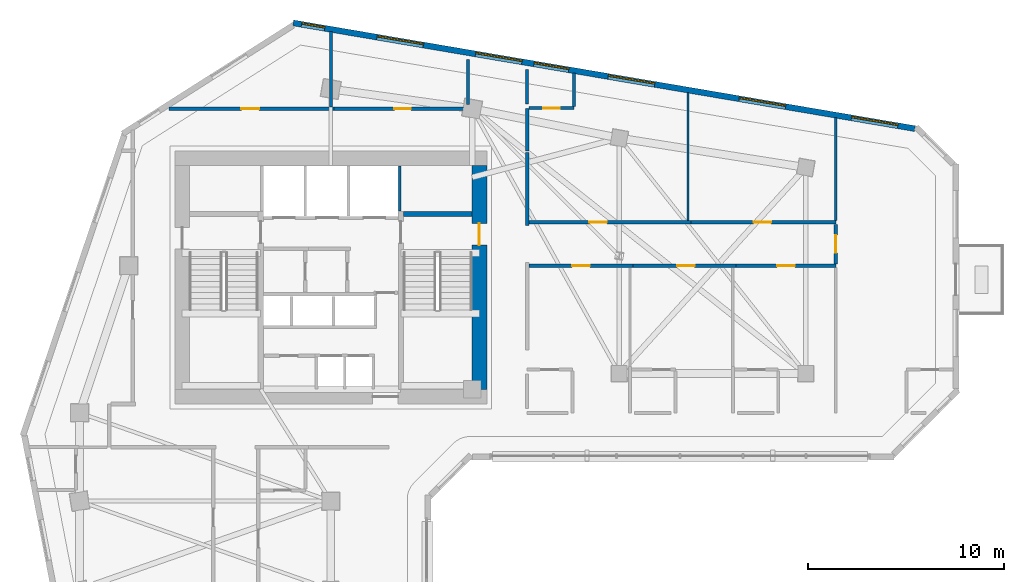
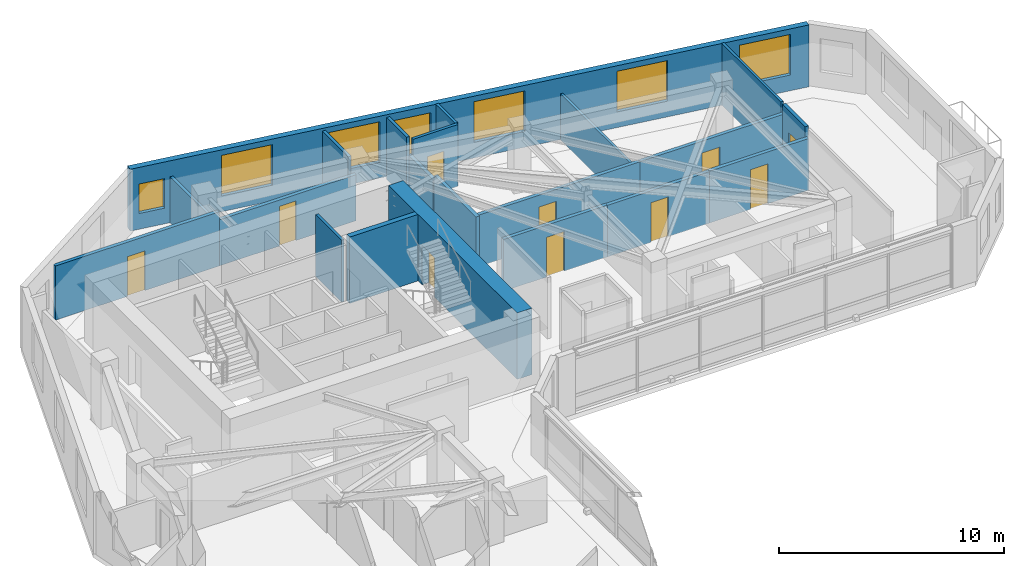
# One storey, part 8 of 14: 21 walls, 10 doors, 7 windows, 17 openings.
"""IFC4 building model written with IfcOpenShell, lengths in metres."""

from ifc_helpers import new_model, si_unit, direction, frame, frame_2d, origin, place, context, subcontext, project, spatial, rectangle, extrude, source, transform, mapped, material, layer, layer_set, type_object, element, fill, save


model = new_model("IFC4")

# Units and contexts
model_context = context("Model", 3, precision=1e-05, world=origin(), true_north=direction((0.0, 1.0)))
body_context = subcontext(model_context, "Body", "Model", "MODEL_VIEW")
ifc_project = project(units=[si_unit("LENGTHUNIT", "METRE"), si_unit("AREAUNIT", "SQUARE_METRE"), si_unit("VOLUMEUNIT", "CUBIC_METRE"), si_unit("PLANEANGLEUNIT", "RADIAN"), si_unit("MASSUNIT", "GRAM", prefix="KILO")], contexts=[model_context])

# Site, building, storey
site_placement = place(None, origin())
site = spatial("IfcSite", under=ifc_project, at=site_placement, CompositionType="ELEMENT")
building_placement = place(site_placement, origin())
building = spatial("IfcBuilding", under=site, at=building_placement, Name="Calvemar Wedge Station Tower", CompositionType="ELEMENT")
storey_placement = place(building_placement, frame((0.0, 0.0, 125.0)))
storey = spatial("IfcBuildingStorey", under=building, at=storey_placement, Name="L30", CompositionType="ELEMENT", Elevation=125.0)

# Wall
ifc_material_1 = material(Name="Concrete C50", Category="concrete")
ifc_layer_1 = layer(ifc_material_1, 0.260009765625)
ifc_layer_set_1 = layer_set([ifc_layer_1], Name="Concrete C50")
wall_type_1 = type_object("IfcWallType", Name="SW-CORE-260", PredefinedType="SHEAR", material=ifc_layer_set_1)
wall_1_placement = place(storey_placement, frame((27.5, 43.1298828125, 0.0), z_axis=(0.0, 0.0, 1.0), x_axis=(1.0, 0.0, 0.0)))
element("IfcWall", 1, at=wall_1_placement, inside=storey, type_object=wall_type_1, Name="Storey L30 Core Shear Wall STC2-N", PredefinedType="SHEAR", context=body_context, shape_type="SweptSolid", body=[
    extrude(rectangle(XDim=3.5, YDim=0.260009765625, at=frame_2d((1.75, 0.0))), origin(), (0.0, 0.0, 1.0), 3.60009765625),
])

# Wall, opening, door
ifc_material_2 = material(Name="Concrete C70", Category="concrete")
ifc_layer_2 = layer(ifc_material_2, 0.75)
ifc_layer_set_2 = layer_set([ifc_layer_2], Name="Concrete C70")
wall_type_2 = type_object("IfcWallType", Name="SW-CORE-750", PredefinedType="SHEAR", material=ifc_layer_set_2)
wall_2_placement = place(storey_placement, frame((31.375, 34.199951171875, 0.0), z_axis=(0.0, 0.0, 1.0), x_axis=(0.0, 1.0, 0.0)))
wall_2 = element("IfcWall", 2, at=wall_2_placement, inside=storey, type_object=wall_type_2, Name="Storey L30 Core Shear Wall E", PredefinedType="SHEAR", context=body_context, shape_type="SweptSolid", body=[
    extrude(rectangle(XDim=11.400146484375, YDim=0.75, at=frame_2d((5.7001953125, 0.0))), origin(), (0.0, 0.0, 1.0), 3.60009765625),
])
shared_shape_1 = source(origin(), body_context, "Body", "SweptSolid", [
    extrude(rectangle(XDim=1.10009765625, YDim=2.14990234375, at=frame_2d((0.550048828125, 1.074951171875))), frame((0.0, 0.385009765625, 0.0), z_axis=(0.0, -1.0, 0.0), x_axis=(1.0, 0.0, 0.0)), (0.0, 0.0, 1.0), 0.77001953125),
])
opening_1_placement = place(wall_2_placement, frame((7.35009765625, 0.0, 0.0)))
opening_1 = element("IfcOpeningElement", 3, at=opening_1_placement, cuts=wall_2, Name="Opening FD-90", PredefinedType="OPENING", context=body_context, shape_type="MappedRepresentation", body=[
    mapped(shared_shape_1, transform((0.0, 0.0, 0.0), scale=1.0)),
])
ifc_material_3 = material(Name="Galvanized fire-rated steel door leaf P-90", Category="steel")
door_type_1 = type_object("IfcDoorType", Name="DR-FD90-1100", OperationType="NOTDEFINED", PredefinedType="DOOR", material=ifc_material_3)
shared_shape_2 = source(origin(), body_context, "Body", "SweptSolid", [
    extrude(rectangle(XDim=1.10009765625, YDim=2.14990234375, at=frame_2d((0.550048828125, 1.074951171875))), frame((0.0, 0.02490234375, 0.0), z_axis=(0.0, -1.0, 0.0), x_axis=(1.0, 0.0, 0.0)), (0.0, 0.0, 1.0), 0.050048828125),
])
door_1_placement = place(opening_1_placement, origin())
door_1 = element("IfcDoor", 4, at=door_1_placement, inside=storey, type_object=door_type_1, Name="L30 East Corridor to Exit Stair ST-C2 Door", OperationType="SINGLE_SWING_LEFT", OverallHeight=2.14990234375, OverallWidth=1.10009765625, PredefinedType="DOOR", context=body_context, shape_type="MappedRepresentation", body=[
    mapped(shared_shape_2, transform((0.0, 0.0, 0.0), scale=1.0)),
])
fill(opening_1, door_1)

ifc_material_4 = material(Name="Double-stud fire-rated corridor partition")
ifc_layer_3 = layer(ifc_material_4, 0.179931640625)
ifc_layer_set_3 = layer_set([ifc_layer_3], Name="Double-stud fire-rated corridor partition")
wall_type_3 = type_object("IfcWallType", Name="W-CORR-180", PredefinedType="PARTITIONING", material=ifc_layer_set_3)
wall_3_placement = place(storey_placement, frame((15.552490234375, 48.5, 0.0), z_axis=(0.0, 0.0, 1.0), x_axis=(1.0, 0.0, 0.0)))
wall_3 = element("IfcWall", 5, at=wall_3_placement, inside=storey, type_object=wall_type_3, Name="Storey L30 Interior Partition WL-L30-014", PredefinedType="PARTITIONING", context=body_context, shape_type="SweptSolid", body=[
    extrude(rectangle(XDim=8.407470703125, YDim=0.179931640625, at=frame_2d((4.20361328125, 0.0))), origin(), (0.0, 0.0, 1.0), 2.93505859375),
])
shared_shape_3 = source(origin(), body_context, "Body", "SweptSolid", [
    extrude(rectangle(XDim=0.89990234375, YDim=2.14990234375, at=frame_2d((0.449951171875, 1.074951171875))), frame((0.0, 0.10009765625, 0.0), z_axis=(0.0, -1.0, 0.0), x_axis=(1.0, 0.0, 0.0)), (0.0, 0.0, 1.0), 0.199951171875),
])
opening_2_placement = place(wall_3_placement, frame((3.69287109375, 0.0, 0.0)))
opening_2 = element("IfcOpeningElement", 6, at=opening_2_placement, cuts=wall_3, Name="Opening D-01", PredefinedType="OPENING", context=body_context, shape_type="MappedRepresentation", body=[
    mapped(shared_shape_3, transform((0.0, 0.0, 0.0), scale=1.0)),
])
ifc_material_5 = material(Name="Architectural hardwood acoustic swing door", Category="wood")
door_type_2 = type_object("IfcDoorType", Name="DR-INT-900", OperationType="NOTDEFINED", PredefinedType="DOOR", material=ifc_material_5)
shared_shape_4 = source(origin(), body_context, "Body", "SweptSolid", [
    extrude(rectangle(XDim=0.89990234375, YDim=2.14990234375, at=frame_2d((0.449951171875, 1.074951171875))), frame((0.0, 0.02490234375, 0.0), z_axis=(0.0, -1.0, 0.0), x_axis=(1.0, 0.0, 0.0)), (0.0, 0.0, 1.0), 0.050048828125),
])
door_2_placement = place(opening_2_placement, origin())
door_2 = element("IfcDoor", 7, at=door_2_placement, inside=storey, type_object=door_type_2, Name="L30 Business Centre Door", OperationType="SINGLE_SWING_LEFT", OverallHeight=2.14990234375, OverallWidth=0.89990234375, PredefinedType="DOOR", context=body_context, shape_type="MappedRepresentation", body=[
    mapped(shared_shape_4, transform((0.0, 0.0, 0.0), scale=1.0)),
])
fill(opening_2, door_2)

wall_4_placement = place(storey_placement, frame((23.9619140625, 48.5, 0.0), z_axis=(0.0, 0.0, 1.0), x_axis=(1.0, 0.0, 0.0)))
wall_4 = element("IfcWall", 8, at=wall_4_placement, inside=storey, type_object=wall_type_3, Name="Storey L30 Interior Partition WL-L30-015", PredefinedType="PARTITIONING", context=body_context, shape_type="SweptSolid", body=[
    extrude(rectangle(XDim=6.998046875, YDim=0.179931640625, at=frame_2d((3.4990234375, 0.0))), origin(), (0.0, 0.0, 1.0), 2.491943359375),
])
shared_shape_5 = source(origin(), body_context, "Body", "SweptSolid", [
    extrude(rectangle(XDim=0.85009765625, YDim=2.14990234375, at=frame_2d((0.425048828125, 1.074951171875))), frame((0.0, 0.10009765625, 0.0), z_axis=(0.0, -1.0, 0.0), x_axis=(1.0, 0.0, 0.0)), (0.0, 0.0, 1.0), 0.199951171875),
])
opening_3_placement = place(wall_4_placement, frame((3.073974609375, 0.0, 0.0)))
opening_3 = element("IfcOpeningElement", 9, at=opening_3_placement, cuts=wall_4, Name="Opening D-02", PredefinedType="OPENING", context=body_context, shape_type="MappedRepresentation", body=[
    mapped(shared_shape_5, transform((0.0, 0.0, 0.0), scale=1.0)),
])
ifc_material_6 = material(Name="Moisture-sealed bathroom hardwood swing door", Category="wood")
door_type_3 = type_object("IfcDoorType", Name="DR-WET-850", OperationType="NOTDEFINED", PredefinedType="DOOR", material=ifc_material_6)
shared_shape_6 = source(origin(), body_context, "Body", "SweptSolid", [
    extrude(rectangle(XDim=0.85009765625, YDim=2.14990234375, at=frame_2d((0.425048828125, 1.074951171875))), frame((0.0, 0.02490234375, 0.0), z_axis=(0.0, -1.0, 0.0), x_axis=(1.0, 0.0, 0.0)), (0.0, 0.0, 1.0), 0.050048828125),
])
door_3_placement = place(opening_3_placement, origin())
door_3 = element("IfcDoor", 10, at=door_3_placement, inside=storey, type_object=door_type_3, Name="L30 Accessible WC Door", OperationType="SINGLE_SWING_RIGHT", OverallHeight=2.14990234375, OverallWidth=0.85009765625, PredefinedType="DOOR", context=body_context, shape_type="MappedRepresentation", body=[
    mapped(shared_shape_6, transform((0.0, 0.0, 0.0), scale=1.0)),
])
fill(opening_3, door_3)

# Walls
wall_5_placement = place(storey_placement, frame((33.800048828125, 48.5, 0.0), z_axis=(0.0, 0.0, 1.0), x_axis=(0.0, -1.0, 0.0)))
element("IfcWall", 11, at=wall_5_placement, inside=storey, type_object=wall_type_3, Name="Storey L30 Interior Partition WL-L30-016", PredefinedType="PARTITIONING", context=body_context, shape_type="SweptSolid", body=[
    extrude(rectangle(XDim=2.14990234375, YDim=0.179931640625, at=frame_2d((1.074951171875, 0.0))), origin(), (0.0, 0.0, 1.0), 2.491943359375),
])
wall_6_placement = place(storey_placement, frame((33.800048828125, 46.256103515625, 0.0), z_axis=(0.0, 0.0, 1.0), x_axis=(0.0, -1.0, 0.0)))
element("IfcWall", 12, at=wall_6_placement, inside=storey, type_object=wall_type_3, Name="Storey L30 Interior Partition WL-L30-018", PredefinedType="PARTITIONING", context=body_context, shape_type="SweptSolid", body=[
    extrude(rectangle(XDim=3.716064453125, YDim=0.179931640625, at=frame_2d((1.85791015625, 0.0))), origin(), (0.0, 0.0, 1.0), 2.7880859375),
])

# Wall, opening, door
wall_7_placement = place(storey_placement, frame((39.205078125, 40.5, 0.0), z_axis=(0.0, 0.0, 1.0), x_axis=(-1.0, 0.0, 0.0)))
wall_7 = element("IfcWall", 13, at=wall_7_placement, inside=storey, type_object=wall_type_3, Name="Storey L30 Interior Partition WL-L30-022", PredefinedType="PARTITIONING", context=body_context, shape_type="SweptSolid", body=[
    extrude(rectangle(XDim=5.31103515625, YDim=0.179931640625, at=frame_2d((2.655517578125, 0.0))), origin(), (0.0, 0.0, 1.0), 2.802978515625),
])
opening_4_placement = place(wall_7_placement, frame((2.20556640625, 0.0, 0.0)))
opening_4 = element("IfcOpeningElement", 14, at=opening_4_placement, cuts=wall_7, Name="Opening FD-60", PredefinedType="OPENING", context=body_context, shape_type="MappedRepresentation", body=[
    mapped(shared_shape_3, transform((0.0, 0.0, 0.0), scale=1.0)),
])
ifc_material_7 = material(Name="Fire-rated acoustic timber-core entrance door EI 60", Category="wood")
door_type_4 = type_object("IfcDoorType", Name="DR-FD60-900", OperationType="NOTDEFINED", PredefinedType="DOOR", material=ifc_material_7)
shared_shape_7 = source(origin(), body_context, "Body", "SweptSolid", [
    extrude(rectangle(XDim=0.89990234375, YDim=2.14990234375, at=frame_2d((0.449951171875, 1.074951171875))), frame((0.0, 0.02490234375, 0.0), z_axis=(0.0, -1.0, 0.0), x_axis=(1.0, 0.0, 0.0)), (0.0, 0.0, 1.0), 0.050048828125),
])
door_4_placement = place(opening_4_placement, origin())
door_4 = element("IfcDoor", 15, at=door_4_placement, inside=storey, type_object=door_type_4, Name="L30 Hotel Guest Room Door", OperationType="SINGLE_SWING_RIGHT", OverallHeight=2.14990234375, OverallWidth=0.89990234375, PredefinedType="DOOR", context=body_context, shape_type="MappedRepresentation", body=[
    mapped(shared_shape_7, transform((0.0, 0.0, 0.0), scale=1.0)),
])
fill(opening_4, door_4)

wall_8_placement = place(storey_placement, frame((44.449951171875, 40.5, 0.0), z_axis=(0.0, 0.0, 1.0), x_axis=(-1.0, 0.0, 0.0)))
wall_8 = element("IfcWall", 16, at=wall_8_placement, inside=storey, type_object=wall_type_3, Name="Storey L30 Interior Partition WL-L30-023", PredefinedType="PARTITIONING", context=body_context, shape_type="SweptSolid", body=[
    extrude(rectangle(XDim=5.242919921875, YDim=0.179931640625, at=frame_2d((2.62158203125, 0.0))), origin(), (0.0, 0.0, 1.0), 2.7880859375),
])
opening_5_placement = place(wall_8_placement, frame((2.110595703125, 0.0, 0.0)))
opening_5 = element("IfcOpeningElement", 17, at=opening_5_placement, cuts=wall_8, Name="Opening FD-60", PredefinedType="OPENING", context=body_context, shape_type="MappedRepresentation", body=[
    mapped(shared_shape_3, transform((0.0, 0.0, 0.0), scale=1.0)),
])
door_5_placement = place(opening_5_placement, origin())
door_5 = element("IfcDoor", 18, at=door_5_placement, inside=storey, type_object=door_type_4, Name="L30 Hotel Guest Room Door", OperationType="SINGLE_SWING_RIGHT", OverallHeight=2.14990234375, OverallWidth=0.89990234375, PredefinedType="DOOR", context=body_context, shape_type="MappedRepresentation", body=[
    mapped(shared_shape_7, transform((0.0, 0.0, 0.0), scale=1.0)),
])
fill(opening_5, door_5)

wall_9_placement = place(storey_placement, frame((49.534912109375, 40.5, 0.0), z_axis=(0.0, 0.0, 1.0), x_axis=(-1.0, 0.0, 0.0)))
wall_9 = element("IfcWall", 19, at=wall_9_placement, inside=storey, type_object=wall_type_3, Name="Storey L30 Interior Partition WL-L30-024", PredefinedType="PARTITIONING", context=body_context, shape_type="SweptSolid", body=[
    extrude(rectangle(XDim=5.0830078125, YDim=0.179931640625, at=frame_2d((2.54150390625, 0.0))), origin(), (0.0, 0.0, 1.0), 2.802978515625),
])
opening_6_placement = place(wall_9_placement, frame((2.091552734375, 0.0, 0.0)))
opening_6 = element("IfcOpeningElement", 20, at=opening_6_placement, cuts=wall_9, Name="Opening FD-60", PredefinedType="OPENING", context=body_context, shape_type="MappedRepresentation", body=[
    mapped(shared_shape_3, transform((0.0, 0.0, 0.0), scale=1.0)),
])
door_6_placement = place(opening_6_placement, origin())
door_6 = element("IfcDoor", 21, at=door_6_placement, inside=storey, type_object=door_type_4, Name="L30 Hotel Guest Room Door", OperationType="SINGLE_SWING_RIGHT", OverallHeight=2.14990234375, OverallWidth=0.89990234375, PredefinedType="DOOR", context=body_context, shape_type="MappedRepresentation", body=[
    mapped(shared_shape_7, transform((0.0, 0.0, 0.0), scale=1.0)),
])
fill(opening_6, door_6)

wall_10_placement = place(storey_placement, frame((33.89404296875, 42.699951171875, 0.0), z_axis=(0.0, 0.0, 1.0), x_axis=(1.0, 0.0, 0.0)))
wall_10 = element("IfcWall", 22, at=wall_10_placement, inside=storey, type_object=wall_type_3, Name="Storey L30 Interior Partition WL-L30-025", PredefinedType="PARTITIONING", context=body_context, shape_type="SweptSolid", body=[
    extrude(rectangle(XDim=8.265869140625, YDim=0.179931640625, at=frame_2d((4.1328125, 0.0))), origin(), (0.0, 0.0, 1.0), 2.7880859375),
])
opening_7_placement = place(wall_10_placement, frame((3.0751953125, 0.0, 0.0)))
opening_7 = element("IfcOpeningElement", 23, at=opening_7_placement, cuts=wall_10, Name="Opening FD-60", PredefinedType="OPENING", context=body_context, shape_type="MappedRepresentation", body=[
    mapped(shared_shape_3, transform((0.0, 0.0, 0.0), scale=1.0)),
])
door_7_placement = place(opening_7_placement, origin())
door_7 = element("IfcDoor", 24, at=door_7_placement, inside=storey, type_object=door_type_4, Name="L30 Hotel Suite Door", OperationType="SINGLE_SWING_RIGHT", OverallHeight=2.14990234375, OverallWidth=0.89990234375, PredefinedType="DOOR", context=body_context, shape_type="MappedRepresentation", body=[
    mapped(shared_shape_7, transform((0.0, 0.0, 0.0), scale=1.0)),
])
fill(opening_7, door_7)

wall_11_placement = place(storey_placement, frame((42.162109375, 42.699951171875, 0.0), z_axis=(0.0, 0.0, 1.0), x_axis=(1.0, 0.0, 0.0)))
wall_11 = element("IfcWall", 25, at=wall_11_placement, inside=storey, type_object=wall_type_3, Name="Storey L30 Interior Partition WL-L30-026", PredefinedType="PARTITIONING", context=body_context, shape_type="SweptSolid", body=[
    extrude(rectangle(XDim=7.372802734375, YDim=0.179931640625, at=frame_2d((3.6865234375, 0.0))), origin(), (0.0, 0.0, 1.0), 2.7880859375),
])
opening_8_placement = place(wall_11_placement, frame((3.17626953125, 0.0, 0.0)))
opening_8 = element("IfcOpeningElement", 26, at=opening_8_placement, cuts=wall_11, Name="Opening D-01", PredefinedType="OPENING", context=body_context, shape_type="MappedRepresentation", body=[
    mapped(shared_shape_3, transform((0.0, 0.0, 0.0), scale=1.0)),
])
door_8_placement = place(opening_8_placement, origin())
door_8 = element("IfcDoor", 27, at=door_8_placement, inside=storey, type_object=door_type_2, Name="L30 Fitness Studio Door", OperationType="SINGLE_SWING_LEFT", OverallHeight=2.14990234375, OverallWidth=0.89990234375, PredefinedType="DOOR", context=body_context, shape_type="MappedRepresentation", body=[
    mapped(shared_shape_4, transform((0.0, 0.0, 0.0), scale=1.0)),
])
fill(opening_8, door_8)

wall_12_placement = place(storey_placement, frame((49.534912109375, 42.60595703125, 0.0), z_axis=(0.0, 0.0, 1.0), x_axis=(0.0, -1.0, 0.0)))
wall_12 = element("IfcWall", 28, at=wall_12_placement, inside=storey, type_object=wall_type_3, Name="Storey L30 Interior Partition WL-L30-027", PredefinedType="PARTITIONING", context=body_context, shape_type="SweptSolid", body=[
    extrude(rectangle(XDim=2.011962890625, YDim=0.179931640625, at=frame_2d((1.005859375, 0.0))), origin(), (0.0, 0.0, 1.0), 3.35009765625),
])
opening_9_placement = place(wall_12_placement, frame((0.555908203125, 0.0, 0.0)))
opening_9 = element("IfcOpeningElement", 29, at=opening_9_placement, cuts=wall_12, Name="Opening FD-60", PredefinedType="OPENING", context=body_context, shape_type="MappedRepresentation", body=[
    mapped(shared_shape_3, transform((0.0, 0.0, 0.0), scale=1.0)),
])
door_9_placement = place(opening_9_placement, origin())
door_9 = element("IfcDoor", 30, at=door_9_placement, inside=storey, type_object=door_type_4, Name="L30 Hotel Suite Door", OperationType="SINGLE_SWING_LEFT", OverallHeight=2.14990234375, OverallWidth=0.89990234375, PredefinedType="DOOR", context=body_context, shape_type="MappedRepresentation", body=[
    mapped(shared_shape_7, transform((0.0, 0.0, 0.0), scale=1.0)),
])
fill(opening_9, door_9)

# Wall, openings, windows
ifc_material_8 = material(Name="Precast concrete C45", Category="concrete")
ifc_layer_4 = layer(ifc_material_8, 0.300048828125)
ifc_layer_set_4 = layer_set([ifc_layer_4], Name="Precast concrete C45")
wall_type_4 = type_object("IfcWallType", Name="W-EXT-GFRC-300", PredefinedType="SOLIDWALL", material=ifc_layer_set_4)
wall_13_placement = place(storey_placement, frame((53.56103515625, 47.48046875, 0.0), z_axis=(0.0, 0.0, 1.0), x_axis=(-0.985845173895, 0.167658262868, 0.0)))
wall_13 = element("IfcWall", 31, at=wall_13_placement, inside=storey, type_object=wall_type_4, Name="Storey L30 Bronze GFRC Exterior Wall 10", PredefinedType="SOLIDWALL", context=body_context, shape_type="SweptSolid", body=[
    extrude(rectangle(XDim=32.132080078125, YDim=0.300048828125, at=frame_2d((16.06591796875, 0.0))), origin(), (0.0, 0.0, 1.0), 3.35009765625),
])
shared_shape_8 = source(origin(), body_context, "Body", "SweptSolid", [
    extrude(rectangle(XDim=2.39990234375, YDim=2.199951171875, at=frame_2d((1.199951171875, 1.10009765625))), frame((0.0, 0.16015625, 0.0), z_axis=(0.0, -1.0, 0.0), x_axis=(1.0, 0.0, 0.0)), (0.0, 0.0, 1.0), 0.320068359375),
])
opening_10_placement = place(wall_13_placement, frame((0.882080078125, 0.0, 0.85009765625)))
opening_10 = element("IfcOpeningElement", 32, at=opening_10_placement, cuts=wall_13, Name="Opening W1", PredefinedType="OPENING", context=body_context, shape_type="MappedRepresentation", body=[
    mapped(shared_shape_8, transform((0.0, 0.0, 0.0), scale=1.0)),
])
opening_11_placement = place(wall_13_placement, frame((6.68603515625, 0.0, 0.85009765625)))
opening_11 = element("IfcOpeningElement", 33, at=opening_11_placement, cuts=wall_13, Name="Opening W1", PredefinedType="OPENING", context=body_context, shape_type="MappedRepresentation", body=[
    mapped(shared_shape_8, transform((0.0, 0.0, 0.0), scale=1.0)),
])
opening_12_placement = place(wall_13_placement, frame((13.448974609375, 0.0, 0.85009765625)))
opening_12 = element("IfcOpeningElement", 34, at=opening_12_placement, cuts=wall_13, Name="Opening W1", PredefinedType="OPENING", context=body_context, shape_type="MappedRepresentation", body=[
    mapped(shared_shape_8, transform((0.0, 0.0, 0.0), scale=1.0)),
])
shared_shape_9 = source(origin(), body_context, "Body", "SweptSolid", [
    extrude(rectangle(XDim=1.800048828125, YDim=2.10009765625, at=frame_2d((0.89990234375, 1.050048828125))), frame((0.0, 0.16015625, 0.0), z_axis=(0.0, -1.0, 0.0), x_axis=(1.0, 0.0, 0.0)), (0.0, 0.0, 1.0), 0.320068359375),
])
opening_13_placement = place(wall_13_placement, frame((17.888916015625, 0.0, 0.85009765625)))
opening_13 = element("IfcOpeningElement", 35, at=opening_13_placement, cuts=wall_13, Name="Opening W2", PredefinedType="OPENING", context=body_context, shape_type="MappedRepresentation", body=[
    mapped(shared_shape_9, transform((0.0, 0.0, 0.0), scale=1.0)),
])
opening_14_placement = place(wall_13_placement, frame((20.30908203125, 0.0, 0.85009765625)))
opening_14 = element("IfcOpeningElement", 36, at=opening_14_placement, cuts=wall_13, Name="Opening W1", PredefinedType="OPENING", context=body_context, shape_type="MappedRepresentation", body=[
    mapped(shared_shape_8, transform((0.0, 0.0, 0.0), scale=1.0)),
])
opening_15_placement = place(wall_13_placement, frame((25.39990234375, 0.0, 0.85009765625)))
opening_15 = element("IfcOpeningElement", 37, at=opening_15_placement, cuts=wall_13, Name="Opening W1", PredefinedType="OPENING", context=body_context, shape_type="MappedRepresentation", body=[
    mapped(shared_shape_8, transform((0.0, 0.0, 0.0), scale=1.0)),
])
shared_shape_10 = source(origin(), body_context, "Body", "SweptSolid", [
    extrude(rectangle(XDim=1.199951171875, YDim=1.60009765625, at=frame_2d((0.60009765625, 0.800048828125))), frame((0.0, 0.16015625, 0.0), z_axis=(0.0, -1.0, 0.0), x_axis=(1.0, 0.0, 0.0)), (0.0, 0.0, 1.0), 0.320068359375),
])
opening_16_placement = place(wall_13_placement, frame((30.5, 0.0, 0.85009765625)))
opening_16 = element("IfcOpeningElement", 38, at=opening_16_placement, cuts=wall_13, Name="Opening W5", PredefinedType="OPENING", context=body_context, shape_type="MappedRepresentation", body=[
    mapped(shared_shape_10, transform((0.0, 0.0, 0.0), scale=1.0)),
])
ifc_material_9 = material(Name="Low-E laminated insulated glass", Category="glass")
window_type_1 = type_object("IfcWindowType", Name="WIN-EXT-2", PartitioningType="SINGLE_PANEL", PredefinedType="WINDOW", material=ifc_material_9)
shared_shape_11 = source(origin(), body_context, "Body", "SweptSolid", [
    extrude(rectangle(XDim=1.800048828125, YDim=2.10009765625, at=frame_2d((0.89990234375, 1.050048828125))), frame((0.0, -0.014892578125, 0.0), z_axis=(0.0, -1.0, 0.0), x_axis=(1.0, 0.0, 0.0)), (0.0, 0.0, 1.0), 0.06005859375),
])
window_1_placement = place(opening_13_placement, origin())
window_1 = element("IfcWindow", 39, at=window_1_placement, inside=storey, type_object=window_type_1, Name="Storey L30 Recessed Window 10.4", OverallHeight=2.10009765625, OverallWidth=1.800048828125, PartitioningType="SINGLE_PANEL", PredefinedType="WINDOW", context=body_context, shape_type="MappedRepresentation", body=[
    mapped(shared_shape_11, transform((0.0, 0.0, 0.0), scale=1.0)),
])
fill(opening_13, window_1)
window_type_2 = type_object("IfcWindowType", Name="WIN-EXT-1", PartitioningType="SINGLE_PANEL", PredefinedType="WINDOW", material=ifc_material_9)
shared_shape_12 = source(origin(), body_context, "Body", "SweptSolid", [
    extrude(rectangle(XDim=2.39990234375, YDim=2.199951171875, at=frame_2d((1.199951171875, 1.10009765625))), frame((0.0, -0.014892578125, 0.0), z_axis=(0.0, -1.0, 0.0), x_axis=(1.0, 0.0, 0.0)), (0.0, 0.0, 1.0), 0.06005859375),
])
window_2_placement = place(opening_10_placement, origin())
window_2 = element("IfcWindow", 40, at=window_2_placement, inside=storey, type_object=window_type_2, Name="Storey L30 Recessed Window 10.1", OverallHeight=2.199951171875, OverallWidth=2.39990234375, PartitioningType="SINGLE_PANEL", PredefinedType="WINDOW", context=body_context, shape_type="MappedRepresentation", body=[
    mapped(shared_shape_12, transform((0.0, 0.0, 0.0), scale=1.0)),
])
fill(opening_10, window_2)
window_3_placement = place(opening_11_placement, origin())
window_3 = element("IfcWindow", 41, at=window_3_placement, inside=storey, type_object=window_type_2, Name="Storey L30 Recessed Window 10.2", OverallHeight=2.199951171875, OverallWidth=2.39990234375, PartitioningType="SINGLE_PANEL", PredefinedType="WINDOW", context=body_context, shape_type="MappedRepresentation", body=[
    mapped(shared_shape_12, transform((0.0, 0.0, 0.0), scale=1.0)),
])
fill(opening_11, window_3)
window_4_placement = place(opening_12_placement, origin())
window_4 = element("IfcWindow", 42, at=window_4_placement, inside=storey, type_object=window_type_2, Name="Storey L30 Recessed Window 10.3", OverallHeight=2.199951171875, OverallWidth=2.39990234375, PartitioningType="SINGLE_PANEL", PredefinedType="WINDOW", context=body_context, shape_type="MappedRepresentation", body=[
    mapped(shared_shape_12, transform((0.0, 0.0, 0.0), scale=1.0)),
])
fill(opening_12, window_4)
window_5_placement = place(opening_14_placement, origin())
window_5 = element("IfcWindow", 43, at=window_5_placement, inside=storey, type_object=window_type_2, Name="Storey L30 Recessed Window 10.5", OverallHeight=2.199951171875, OverallWidth=2.39990234375, PartitioningType="SINGLE_PANEL", PredefinedType="WINDOW", context=body_context, shape_type="MappedRepresentation", body=[
    mapped(shared_shape_12, transform((0.0, 0.0, 0.0), scale=1.0)),
])
fill(opening_14, window_5)
window_6_placement = place(opening_15_placement, origin())
window_6 = element("IfcWindow", 44, at=window_6_placement, inside=storey, type_object=window_type_2, Name="Storey L30 Recessed Window 10.6", OverallHeight=2.199951171875, OverallWidth=2.39990234375, PartitioningType="SINGLE_PANEL", PredefinedType="WINDOW", context=body_context, shape_type="MappedRepresentation", body=[
    mapped(shared_shape_12, transform((0.0, 0.0, 0.0), scale=1.0)),
])
fill(opening_15, window_6)
window_type_3 = type_object("IfcWindowType", Name="WIN-EXT-5", PartitioningType="SINGLE_PANEL", PredefinedType="WINDOW", material=ifc_material_9)
shared_shape_13 = source(origin(), body_context, "Body", "SweptSolid", [
    extrude(rectangle(XDim=1.199951171875, YDim=1.60009765625, at=frame_2d((0.60009765625, 0.800048828125))), frame((0.0, -0.014892578125, 0.0), z_axis=(0.0, -1.0, 0.0), x_axis=(1.0, 0.0, 0.0)), (0.0, 0.0, 1.0), 0.06005859375),
])
window_7_placement = place(opening_16_placement, origin())
window_7 = element("IfcWindow", 45, at=window_7_placement, inside=storey, type_object=window_type_3, Name="Storey L30 Recessed Window 10.7", OverallHeight=1.60009765625, OverallWidth=1.199951171875, PartitioningType="SINGLE_PANEL", PredefinedType="WINDOW", context=body_context, shape_type="MappedRepresentation", body=[
    mapped(shared_shape_13, transform((0.0, 0.0, 0.0), scale=1.0)),
])
fill(opening_16, window_7)

# Walls
ifc_material_10 = material(Name="Reinforced concrete blockwork lift shaft wall", Category="masonry")
ifc_layer_5 = layer(ifc_material_10, 0.139892578125)
ifc_layer_set_5 = layer_set([ifc_layer_5], Name="Reinforced concrete blockwork lift shaft wall")
wall_type_5 = type_object("IfcWallType", Name="W-LIFT-160", PredefinedType="SOLIDWALL", material=ifc_layer_set_5)
wall_14_placement = place(storey_placement, frame((27.31005859375, 43.280029296875, 0.0), z_axis=(0.0, 0.0, 1.0), x_axis=(0.0, 1.0, 0.0)))
element("IfcWall", 46, at=wall_14_placement, inside=storey, type_object=wall_type_5, Name="Storey L30 Firefighting Lift Shaft Enclosure Wall E", PredefinedType="SOLIDWALL", context=body_context, shape_type="SweptSolid", body=[
    extrude(rectangle(XDim=2.300048828125, YDim=0.139892578125, at=frame_2d((1.14990234375, 0.0))), origin(), (0.0, 0.0, 1.0), 3.35009765625),
])
ifc_material_11 = material(Name="Insulated acoustic gypsum stud partition")
ifc_layer_6 = layer(ifc_material_11, 0.125)
ifc_layer_set_6 = layer_set([ifc_layer_6], Name="Insulated acoustic gypsum stud partition")
wall_type_6 = type_object("IfcWallType", Name="W-PART-125", PredefinedType="PARTITIONING", material=ifc_layer_set_6)
wall_15_placement = place(storey_placement, frame((42.0, 49.329833984375, 0.0), z_axis=(0.0, 0.0, 1.0), x_axis=(0.0, -1.0, 0.0)))
element("IfcWall", 47, at=wall_15_placement, inside=storey, type_object=wall_type_6, Name="Storey L30 Interior Partition WL-L30-041", PredefinedType="PARTITIONING", context=body_context, shape_type="SweptSolid", body=[
    extrude(rectangle(XDim=6.535888671875, YDim=0.125, at=frame_2d((3.26806640625, 0.0))), origin(), (0.0, 0.0, 1.0), 2.491943359375),
])
wall_16_placement = place(storey_placement, frame((49.534912109375, 48.048583984375, 0.0), z_axis=(0.0, 0.0, 1.0), x_axis=(0.0, -1.0, 0.0)))
element("IfcWall", 48, at=wall_16_placement, inside=storey, type_object=wall_type_6, Name="Storey L30 Interior Partition WL-L30-042", PredefinedType="PARTITIONING", context=body_context, shape_type="SweptSolid", body=[
    extrude(rectangle(XDim=5.254638671875, YDim=0.125, at=frame_2d((2.62744140625, 0.0))), origin(), (0.0, 0.0, 1.0), 3.35009765625),
])
ifc_material_12 = material(Name="Moisture-resistant acoustic bathroom partition")
ifc_layer_7 = layer(ifc_material_12, 0.14990234375)
ifc_layer_set_7 = layer_set([ifc_layer_7], Name="Moisture-resistant acoustic bathroom partition")
wall_type_7 = type_object("IfcWallType", Name="W-WET-150", PredefinedType="PARTITIONING", material=ifc_layer_set_7)
wall_17_placement = place(storey_placement, frame((23.800048828125, 52.425048828125, 0.0), z_axis=(0.0, 0.0, 1.0), x_axis=(0.0, -1.0, 0.0)))
element("IfcWall", 49, at=wall_17_placement, inside=storey, type_object=wall_type_7, Name="Storey L30 Interior Partition WL-L30-021", PredefinedType="PARTITIONING", context=body_context, shape_type="SweptSolid", body=[
    extrude(rectangle(XDim=3.8310546875, YDim=0.14990234375, at=frame_2d((1.91552734375, 0.0))), origin(), (0.0, 0.0, 1.0), 2.491943359375),
])

# Wall, opening, door
wall_18_placement = place(storey_placement, frame((36.199951171875, 48.5244140625, 0.0), z_axis=(0.0, 0.0, 1.0), x_axis=(-1.0, 0.0, 0.0)))
wall_18 = element("IfcWall", 50, at=wall_18_placement, inside=storey, type_object=wall_type_7, Name="Storey L30 Interior Partition WL-L30-039", PredefinedType="PARTITIONING", context=body_context, shape_type="SweptSolid", body=[
    extrude(rectangle(XDim=2.305908203125, YDim=0.14990234375, at=frame_2d((1.15283203125, 0.0))), origin(), (0.0, 0.0, 1.0), 3.35009765625),
])
shared_shape_14 = source(origin(), body_context, "Body", "SweptSolid", [
    extrude(rectangle(XDim=0.85009765625, YDim=2.14990234375, at=frame_2d((0.425048828125, 1.074951171875))), frame((0.0, 0.0849609375, 0.0), z_axis=(0.0, -1.0, 0.0), x_axis=(1.0, 0.0, 0.0)), (0.0, 0.0, 1.0), 0.169921875),
])
opening_17_placement = place(wall_18_placement, frame((0.72802734375, 0.0, 0.0)))
opening_17 = element("IfcOpeningElement", 51, at=opening_17_placement, cuts=wall_18, Name="Opening D-02", PredefinedType="OPENING", context=body_context, shape_type="MappedRepresentation", body=[
    mapped(shared_shape_14, transform((0.0, 0.0, 0.0), scale=1.0)),
])
door_10_placement = place(opening_17_placement, origin())
door_10 = element("IfcDoor", 52, at=door_10_placement, inside=storey, type_object=door_type_3, Name="L30 En-Suite Bathroom Door", OperationType="SINGLE_SWING_LEFT", OverallHeight=2.14990234375, OverallWidth=0.85009765625, PredefinedType="DOOR", context=body_context, shape_type="MappedRepresentation", body=[
    mapped(shared_shape_6, transform((0.0, 0.0, 0.0), scale=1.0)),
])
fill(opening_17, door_10)

# Walls
wall_19_placement = place(storey_placement, frame((36.199951171875, 50.31640625, 0.0), z_axis=(0.0, 0.0, 1.0), x_axis=(0.0, -1.0, 0.0)))
element("IfcWall", 53, at=wall_19_placement, inside=storey, type_object=wall_type_7, Name="Storey L30 Interior Partition WL-L30-040", PredefinedType="PARTITIONING", context=body_context, shape_type="SweptSolid", body=[
    extrude(rectangle(XDim=1.712890625, YDim=0.14990234375, at=frame_2d((0.8564453125, 0.0))), origin(), (0.0, 0.0, 1.0), 3.35009765625),
])
wall_20_placement = place(storey_placement, frame((30.800048828125, 51.011474609375, 0.0), z_axis=(0.0, 0.0, 1.0), x_axis=(0.0, -1.0, 0.0)))
element("IfcWall", 54, at=wall_20_placement, inside=storey, type_object=wall_type_7, Name="Storey L30 Bathroom Enclosure Wall WL-L30-074", PredefinedType="PARTITIONING", context=body_context, shape_type="SweptSolid", body=[
    extrude(rectangle(XDim=2.29150390625, YDim=0.14990234375, at=frame_2d((1.145751953125, 0.0))), origin(), (0.0, 0.0, 1.0), 3.35009765625),
])
wall_21_placement = place(storey_placement, frame((33.800048828125, 48.72314453125, 0.0), z_axis=(0.0, 0.0, 1.0), x_axis=(0.0, 1.0, 0.0)))
element("IfcWall", 55, at=wall_21_placement, inside=storey, type_object=wall_type_7, Name="Storey L30 Bathroom Enclosure Wall WL-L30-079", PredefinedType="PARTITIONING", context=body_context, shape_type="SweptSolid", body=[
    extrude(rectangle(XDim=1.778076171875, YDim=0.14990234375, at=frame_2d((0.88916015625, 0.0))), origin(), (0.0, 0.0, 1.0), 3.35009765625),
])

save(model, "model.ifc")
